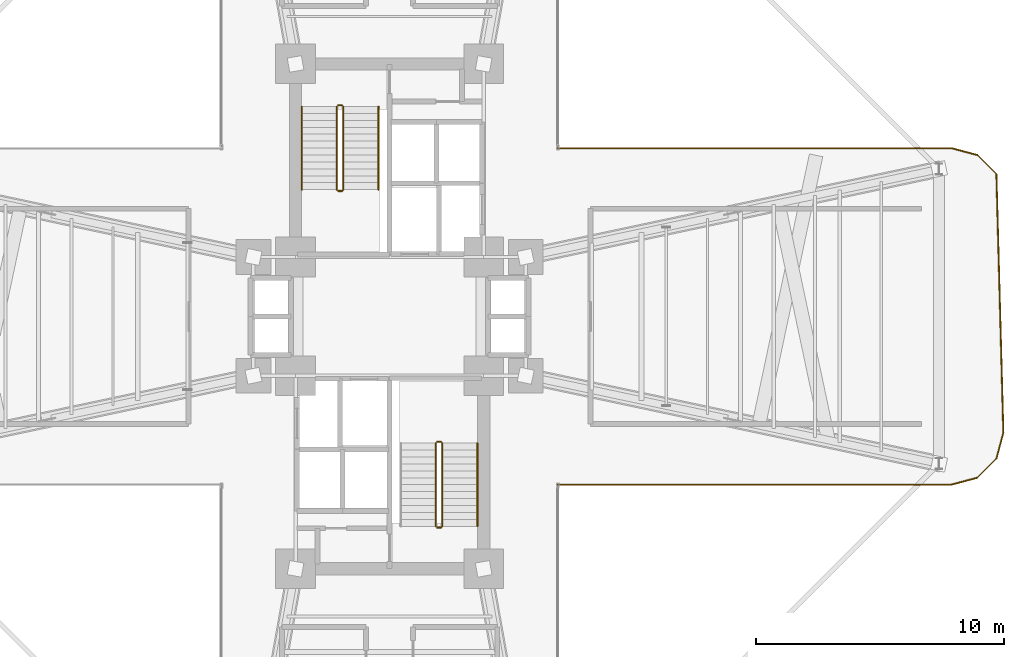
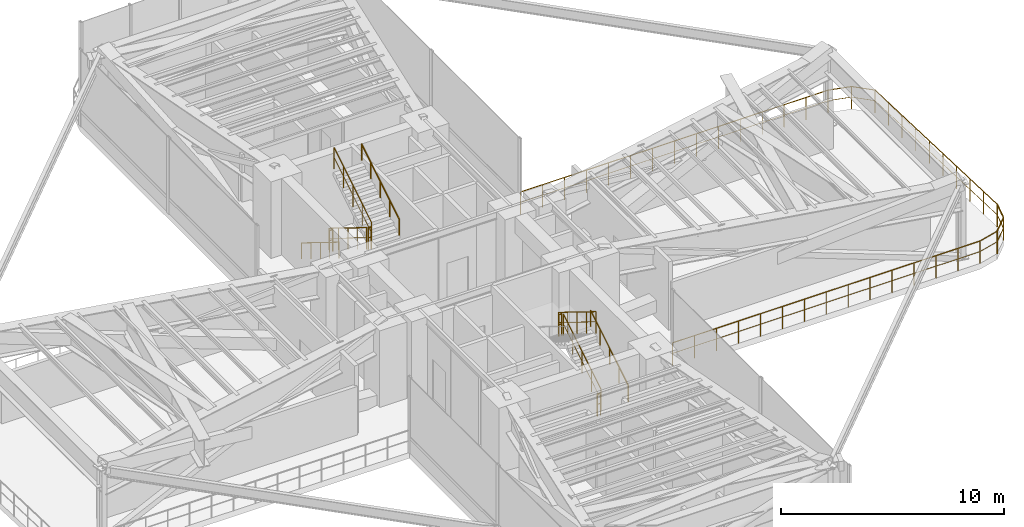
# One storey, part 17 of 18: 19 railings.
"""IFC4 building model written with IfcOpenShell, lengths in metres."""

from ifc_helpers import new_model, si_unit, direction, frame, origin, origin_2d, place, context, subcontext, project, spatial, circle, extrude, material, type_object, element, save


model = new_model("IFC4")

# Units and contexts
model_context = context("Model", 3, precision=1e-05, world=origin(), true_north=direction((0.0, 1.0)))
body_context = subcontext(model_context, "Body", "Model", "MODEL_VIEW")
ifc_project = project(units=[si_unit("LENGTHUNIT", "METRE"), si_unit("AREAUNIT", "SQUARE_METRE"), si_unit("VOLUMEUNIT", "CUBIC_METRE"), si_unit("PLANEANGLEUNIT", "RADIAN"), si_unit("MASSUNIT", "GRAM", prefix="KILO")], contexts=[model_context])

# Site, building, storey
site_placement = place(None, origin())
site = spatial("IfcSite", under=ifc_project, at=site_placement, CompositionType="ELEMENT")
building_placement = place(site_placement, origin())
building = spatial("IfcBuilding", under=site, at=building_placement, Name="Sahyath Konkavel Grand Hotel", CompositionType="ELEMENT")
storey_placement = place(building_placement, frame((0.0, 0.0, 74.5)))
storey = spatial("IfcBuildingStorey", under=building, at=storey_placement, Name="L20", CompositionType="ELEMENT", Elevation=74.5)

# Railings
ifc_material_1 = material(Name="Steel E350", Category="steel")
railing_type_1 = type_object("IfcRailingType", Name="RLG-STAIR-GRD", PredefinedType="GUARDRAIL", material=ifc_material_1)
railing_1_placement = place(storey_placement, frame((-2.1298828125, 8.47998046875, 0.173095703125)))
element("IfcRailing", 1, at=railing_1_placement, inside=storey, type_object=railing_type_1, Name="L20 ST-1 stair guard 1", PredefinedType="GUARDRAIL", context=body_context, shape_type="SweptSolid", body=[
    extrude(circle(Radius=0.02392578125, at=origin_2d()), frame((0.0, -0.001708984375, 1.177001953125), z_axis=(0.0, -0.850606129759, 0.525803396734), x_axis=(1.0, 0.0, 0.0)), (0.0, 0.0, 1.0), 3.946044921875),
    extrude(circle(Radius=0.01416015625, at=origin_2d()), frame((0.0, -0.001708984375, 0.625), z_axis=(0.0, -0.850606129759, 0.525803396734), x_axis=(1.0, 0.0, 0.0)), (0.0, 0.0, 1.0), 3.946044921875),
    extrude(circle(Radius=0.02099609375, at=origin_2d()), origin(), (0.0, 0.0, 1.0), 1.15185546875),
    extrude(circle(Radius=0.02099609375, at=origin_2d()), frame((0.0, -0.83984375, 0.519287109375)), (0.0, 0.0, 1.0), 1.15185546875),
    extrude(circle(Radius=0.02099609375, at=origin_2d()), frame((0.0, -1.679931640625, 1.03857421875)), (0.0, 0.0, 1.0), 1.15185546875),
    extrude(circle(Radius=0.02099609375, at=origin_2d()), frame((0.0, -2.52001953125, 1.5576171875)), (0.0, 0.0, 1.0), 1.15185546875),
    extrude(circle(Radius=0.02099609375, at=origin_2d()), frame((0.0, -3.35986328125, 2.076904296875)), (0.0, 0.0, 1.0), 1.15185546875),
])
railing_2_placement = place(storey_placement, frame((-2.080078125, 5.070068359375, 2.25)))
element("IfcRailing", 2, at=railing_2_placement, inside=storey, type_object=railing_type_1, Name="L20 ST-1 stair guard 2", PredefinedType="GUARDRAIL", context=body_context, shape_type="SweptSolid", body=[
    extrude(circle(Radius=0.02392578125, at=origin_2d()), frame((0.001953125, 0.0, 1.17578125), z_axis=(1.0, 0.0, 0.0), x_axis=(0.0, 1.0, 0.0)), (0.0, 0.0, 1.0), 0.15625),
    extrude(circle(Radius=0.01416015625, at=origin_2d()), frame((0.001953125, 0.0, 0.6240234375), z_axis=(1.0, 0.0, 0.0), x_axis=(0.0, 1.0, 0.0)), (0.0, 0.0, 1.0), 0.15625),
    extrude(circle(Radius=0.02099609375, at=origin_2d()), origin(), (0.0, 0.0, 1.0), 1.15185546875),
    extrude(circle(Radius=0.02099609375, at=origin_2d()), frame((0.16015625, 0.0, 0.0)), (0.0, 0.0, 1.0), 1.15185546875),
])
railing_3_placement = place(storey_placement, frame((-1.8701171875, 5.1201171875, 2.423095703125)))
element("IfcRailing", 3, at=railing_3_placement, inside=storey, type_object=railing_type_1, Name="L20 ST-1 stair guard 3", PredefinedType="GUARDRAIL", context=body_context, shape_type="SweptSolid", body=[
    extrude(circle(Radius=0.02392578125, at=origin_2d()), frame((0.0, 0.001708984375, 1.177001953125), z_axis=(0.0, 0.850606129759, 0.525803396734), x_axis=(-1.0, 0.0, 0.0)), (0.0, 0.0, 1.0), 3.946044921875),
    extrude(circle(Radius=0.01416015625, at=origin_2d()), frame((0.0, 0.001708984375, 0.625), z_axis=(0.0, 0.850606129759, 0.525803396734), x_axis=(-1.0, 0.0, 0.0)), (0.0, 0.0, 1.0), 3.946044921875),
    extrude(circle(Radius=0.02099609375, at=origin_2d()), origin(), (0.0, 0.0, 1.0), 1.15185546875),
    extrude(circle(Radius=0.02099609375, at=origin_2d()), frame((0.0, 0.83984375, 0.519287109375)), (0.0, 0.0, 1.0), 1.15185546875),
    extrude(circle(Radius=0.02099609375, at=origin_2d()), frame((0.0, 1.679931640625, 1.03857421875)), (0.0, 0.0, 1.0), 1.15185546875),
    extrude(circle(Radius=0.02099609375, at=origin_2d()), frame((0.0, 2.52001953125, 1.5576171875)), (0.0, 0.0, 1.0), 1.15185546875),
    extrude(circle(Radius=0.02099609375, at=origin_2d()), frame((0.0, 3.35986328125, 2.076904296875)), (0.0, 0.0, 1.0), 1.15185546875),
])
railing_4_placement = place(storey_placement, frame((-2.080078125, 8.530029296875, 0.0)))
element("IfcRailing", 4, at=railing_4_placement, inside=storey, type_object=railing_type_1, Name="L20 ST-1 stair guard 4", PredefinedType="GUARDRAIL", context=body_context, shape_type="SweptSolid", body=[
    extrude(circle(Radius=0.02392578125, at=origin_2d()), frame((0.001953125, 0.0, 1.17578125), z_axis=(1.0, 0.0, 0.0), x_axis=(0.0, 1.0, 0.0)), (0.0, 0.0, 1.0), 0.15625),
    extrude(circle(Radius=0.01416015625, at=origin_2d()), frame((0.001953125, 0.0, 0.6240234375), z_axis=(1.0, 0.0, 0.0), x_axis=(0.0, 1.0, 0.0)), (0.0, 0.0, 1.0), 0.15625),
    extrude(circle(Radius=0.02099609375, at=origin_2d()), origin(), (0.0, 0.0, 1.0), 1.15185546875),
    extrude(circle(Radius=0.02099609375, at=origin_2d()), frame((0.16015625, 0.0, 0.0)), (0.0, 0.0, 1.0), 1.15185546875),
])
railing_5_placement = place(storey_placement, frame((2.1298828125, -8.47998046875, 0.173095703125)))
element("IfcRailing", 5, at=railing_5_placement, inside=storey, type_object=railing_type_1, Name="L20 ST-2 stair guard 1", PredefinedType="GUARDRAIL", context=body_context, shape_type="SweptSolid", body=[
    extrude(circle(Radius=0.02392578125, at=origin_2d()), frame((0.0, 0.001708984375, 1.177001953125), z_axis=(0.0, 0.850606129759, 0.525803396734), x_axis=(-1.0, 0.0, 0.0)), (0.0, 0.0, 1.0), 3.946044921875),
    extrude(circle(Radius=0.01416015625, at=origin_2d()), frame((0.0, 0.001708984375, 0.625), z_axis=(0.0, 0.850606129759, 0.525803396734), x_axis=(-1.0, 0.0, 0.0)), (0.0, 0.0, 1.0), 3.946044921875),
    extrude(circle(Radius=0.02099609375, at=origin_2d()), origin(), (0.0, 0.0, 1.0), 1.15185546875),
    extrude(circle(Radius=0.02099609375, at=origin_2d()), frame((0.0, 0.83984375, 0.519287109375)), (0.0, 0.0, 1.0), 1.15185546875),
    extrude(circle(Radius=0.02099609375, at=origin_2d()), frame((0.0, 1.679931640625, 1.03857421875)), (0.0, 0.0, 1.0), 1.15185546875),
    extrude(circle(Radius=0.02099609375, at=origin_2d()), frame((0.0, 2.52001953125, 1.5576171875)), (0.0, 0.0, 1.0), 1.15185546875),
    extrude(circle(Radius=0.02099609375, at=origin_2d()), frame((0.0, 3.35986328125, 2.076904296875)), (0.0, 0.0, 1.0), 1.15185546875),
])
railing_6_placement = place(storey_placement, frame((2.080078125, -5.070068359375, 2.25)))
element("IfcRailing", 6, at=railing_6_placement, inside=storey, type_object=railing_type_1, Name="L20 ST-2 stair guard 2", PredefinedType="GUARDRAIL", context=body_context, shape_type="SweptSolid", body=[
    extrude(circle(Radius=0.02392578125, at=origin_2d()), frame((-0.001953125, 0.0, 1.17578125), z_axis=(-1.0, 0.0, 0.0), x_axis=(0.0, -1.0, 0.0)), (0.0, 0.0, 1.0), 0.15625),
    extrude(circle(Radius=0.01416015625, at=origin_2d()), frame((-0.001953125, 0.0, 0.6240234375), z_axis=(-1.0, 0.0, 0.0), x_axis=(0.0, -1.0, 0.0)), (0.0, 0.0, 1.0), 0.15625),
    extrude(circle(Radius=0.02099609375, at=origin_2d()), origin(), (0.0, 0.0, 1.0), 1.15185546875),
    extrude(circle(Radius=0.02099609375, at=origin_2d()), frame((-0.16015625, 0.0, 0.0)), (0.0, 0.0, 1.0), 1.15185546875),
])
railing_7_placement = place(storey_placement, frame((1.8701171875, -5.1201171875, 2.423095703125)))
element("IfcRailing", 7, at=railing_7_placement, inside=storey, type_object=railing_type_1, Name="L20 ST-2 stair guard 3", PredefinedType="GUARDRAIL", context=body_context, shape_type="SweptSolid", body=[
    extrude(circle(Radius=0.02392578125, at=origin_2d()), frame((0.0, -0.001708984375, 1.177001953125), z_axis=(0.0, -0.850606129759, 0.525803396734), x_axis=(1.0, 0.0, 0.0)), (0.0, 0.0, 1.0), 3.946044921875),
    extrude(circle(Radius=0.01416015625, at=origin_2d()), frame((0.0, -0.001708984375, 0.625), z_axis=(0.0, -0.850606129759, 0.525803396734), x_axis=(1.0, 0.0, 0.0)), (0.0, 0.0, 1.0), 3.946044921875),
    extrude(circle(Radius=0.02099609375, at=origin_2d()), origin(), (0.0, 0.0, 1.0), 1.15185546875),
    extrude(circle(Radius=0.02099609375, at=origin_2d()), frame((0.0, -0.83984375, 0.519287109375)), (0.0, 0.0, 1.0), 1.15185546875),
    extrude(circle(Radius=0.02099609375, at=origin_2d()), frame((0.0, -1.679931640625, 1.03857421875)), (0.0, 0.0, 1.0), 1.15185546875),
    extrude(circle(Radius=0.02099609375, at=origin_2d()), frame((0.0, -2.52001953125, 1.5576171875)), (0.0, 0.0, 1.0), 1.15185546875),
    extrude(circle(Radius=0.02099609375, at=origin_2d()), frame((0.0, -3.35986328125, 2.076904296875)), (0.0, 0.0, 1.0), 1.15185546875),
])
railing_8_placement = place(storey_placement, frame((2.080078125, -8.530029296875, 0.0)))
element("IfcRailing", 8, at=railing_8_placement, inside=storey, type_object=railing_type_1, Name="L20 ST-2 stair guard 4", PredefinedType="GUARDRAIL", context=body_context, shape_type="SweptSolid", body=[
    extrude(circle(Radius=0.02392578125, at=origin_2d()), frame((-0.001953125, 0.0, 1.17578125), z_axis=(-1.0, 0.0, 0.0), x_axis=(0.0, -1.0, 0.0)), (0.0, 0.0, 1.0), 0.15625),
    extrude(circle(Radius=0.01416015625, at=origin_2d()), frame((-0.001953125, 0.0, 0.6240234375), z_axis=(-1.0, 0.0, 0.0), x_axis=(0.0, -1.0, 0.0)), (0.0, 0.0, 1.0), 0.15625),
    extrude(circle(Radius=0.02099609375, at=origin_2d()), origin(), (0.0, 0.0, 1.0), 1.15185546875),
    extrude(circle(Radius=0.02099609375, at=origin_2d()), frame((-0.16015625, 0.0, 0.0)), (0.0, 0.0, 1.0), 1.15185546875),
])
ifc_material_2 = material(Name="Anodised Bronze Aluminium", Category="aluminium")
railing_type_2 = type_object("IfcRailingType", Name="RLG-STAIR-HND", PredefinedType="HANDRAIL", material=ifc_material_2)
railing_9_placement = place(storey_placement, frame((-3.550048828125, 8.47998046875, 0.173095703125)))
element("IfcRailing", 9, at=railing_9_placement, inside=storey, type_object=railing_type_2, Name="L20 ST-1 stair handrail 1", PredefinedType="HANDRAIL", context=body_context, shape_type="SweptSolid", body=[
    extrude(circle(Radius=0.02392578125, at=origin_2d()), frame((0.0, -0.001708984375, 0.876953125), z_axis=(0.0, -0.850606129759, 0.525803396734), x_axis=(1.0, 0.0, 0.0)), (0.0, 0.0, 1.0), 3.946044921875),
    extrude(circle(Radius=0.02099609375, at=origin_2d()), origin(), (0.0, 0.0, 1.0), 0.851806640625),
    extrude(circle(Radius=0.02099609375, at=origin_2d()), frame((0.0, -0.83984375, 0.519287109375)), (0.0, 0.0, 1.0), 0.851806640625),
    extrude(circle(Radius=0.02099609375, at=origin_2d()), frame((0.0, -1.679931640625, 1.03857421875)), (0.0, 0.0, 1.0), 0.851806640625),
    extrude(circle(Radius=0.02099609375, at=origin_2d()), frame((0.0, -2.52001953125, 1.5576171875)), (0.0, 0.0, 1.0), 0.851806640625),
    extrude(circle(Radius=0.02099609375, at=origin_2d()), frame((0.0, -3.35986328125, 2.076904296875)), (0.0, 0.0, 1.0), 0.851806640625),
])
for number, where, name in (
    (10, (-0.449951171875, 5.1201171875, 2.423095703125), "L20 ST-1 stair handrail 2"),
    (11, (3.550048828125, -8.47998046875, 0.173095703125), "L20 ST-2 stair handrail 1"),
):
    element("IfcRailing", number, at=place(storey_placement, frame(where)), inside=storey, type_object=railing_type_2, Name=name, PredefinedType="HANDRAIL", context=body_context, shape_type="SweptSolid", body=[
        extrude(circle(Radius=0.02392578125, at=origin_2d()), frame((0.0, 0.001708984375, 0.876953125), z_axis=(0.0, 0.850606129759, 0.525803396734), x_axis=(-1.0, 0.0, 0.0)), (0.0, 0.0, 1.0), 3.946044921875),
        extrude(circle(Radius=0.02099609375, at=origin_2d()), origin(), (0.0, 0.0, 1.0), 0.851806640625),
        extrude(circle(Radius=0.02099609375, at=origin_2d()), frame((0.0, 0.83984375, 0.519287109375)), (0.0, 0.0, 1.0), 0.851806640625),
        extrude(circle(Radius=0.02099609375, at=origin_2d()), frame((0.0, 1.679931640625, 1.03857421875)), (0.0, 0.0, 1.0), 0.851806640625),
        extrude(circle(Radius=0.02099609375, at=origin_2d()), frame((0.0, 2.52001953125, 1.5576171875)), (0.0, 0.0, 1.0), 0.851806640625),
        extrude(circle(Radius=0.02099609375, at=origin_2d()), frame((0.0, 3.35986328125, 2.076904296875)), (0.0, 0.0, 1.0), 0.851806640625),
    ])
ifc_material_3 = material(Name="Warm Buff Sandstone & Bronze Balustrade", Category="masonry")
railing_type_3 = type_object("IfcRailingType", Name="RLG-TERR-1250", PredefinedType="BALUSTRADE", material=ifc_material_3)
railing_10_placement = place(storey_placement, frame((6.800048828125, -6.800048828125, 0.0)))
element("IfcRailing", 12, at=railing_10_placement, inside=storey, type_object=railing_type_3, Name="L20 Fire Refuge Perimeter Guard 0", PredefinedType="BALUSTRADE", context=body_context, shape_type="SweptSolid", body=[
    extrude(circle(Radius=0.02392578125, at=origin_2d()), frame((0.001953125, 0.0, 1.22607421875), z_axis=(1.0, 0.0, 0.0), x_axis=(0.0, 1.0, 0.0)), (0.0, 0.0, 1.0), 15.89599609375),
    extrude(circle(Radius=0.01416015625, at=origin_2d()), frame((0.001953125, 0.0, 0.64990234375), z_axis=(1.0, 0.0, 0.0), x_axis=(0.0, 1.0, 0.0)), (0.0, 0.0, 1.0), 15.89599609375),
    extrude(circle(Radius=0.02099609375, at=origin_2d()), origin(), (0.0, 0.0, 1.0), 1.201904296875),
    extrude(circle(Radius=0.02099609375, at=origin_2d()), frame((1.1357421875, 0.0, 0.0)), (0.0, 0.0, 1.0), 1.201904296875),
    extrude(circle(Radius=0.02099609375, at=origin_2d()), frame((2.271484375, 0.0, 0.0)), (0.0, 0.0, 1.0), 1.201904296875),
    extrude(circle(Radius=0.02099609375, at=origin_2d()), frame((3.4072265625, 0.0, 0.0)), (0.0, 0.0, 1.0), 1.201904296875),
    extrude(circle(Radius=0.02099609375, at=origin_2d()), frame((4.542724609375, 0.0, 0.0)), (0.0, 0.0, 1.0), 1.201904296875),
    extrude(circle(Radius=0.02099609375, at=origin_2d()), frame((5.678466796875, 0.0, 0.0)), (0.0, 0.0, 1.0), 1.201904296875),
    extrude(circle(Radius=0.02099609375, at=origin_2d()), frame((6.814208984375, 0.0, 0.0)), (0.0, 0.0, 1.0), 1.201904296875),
    extrude(circle(Radius=0.02099609375, at=origin_2d()), frame((7.949951171875, 0.0, 0.0)), (0.0, 0.0, 1.0), 1.201904296875),
    extrude(circle(Radius=0.02099609375, at=origin_2d()), frame((9.085693359375, 0.0, 0.0)), (0.0, 0.0, 1.0), 1.201904296875),
    extrude(circle(Radius=0.02099609375, at=origin_2d()), frame((10.221435546875, 0.0, 0.0)), (0.0, 0.0, 1.0), 1.201904296875),
    extrude(circle(Radius=0.02099609375, at=origin_2d()), frame((11.357177734375, 0.0, 0.0)), (0.0, 0.0, 1.0), 1.201904296875),
    extrude(circle(Radius=0.02099609375, at=origin_2d()), frame((12.49267578125, 0.0, 0.0)), (0.0, 0.0, 1.0), 1.201904296875),
    extrude(circle(Radius=0.02099609375, at=origin_2d()), frame((13.62841796875, 0.0, 0.0)), (0.0, 0.0, 1.0), 1.201904296875),
    extrude(circle(Radius=0.02099609375, at=origin_2d()), frame((14.76416015625, 0.0, 0.0)), (0.0, 0.0, 1.0), 1.201904296875),
    extrude(circle(Radius=0.02099609375, at=origin_2d()), frame((15.89990234375, 0.0, 0.0)), (0.0, 0.0, 1.0), 1.201904296875),
])
railing_11_placement = place(storey_placement, frame((22.699951171875, -6.800048828125, 0.0)))
element("IfcRailing", 13, at=railing_11_placement, inside=storey, type_object=railing_type_3, Name="L20 Fire Refuge Perimeter Guard 1", PredefinedType="BALUSTRADE", context=body_context, shape_type="SweptSolid", body=[
    extrude(circle(Radius=0.02392578125, at=origin_2d()), frame((0.001953125, 0.00048828125, 1.22607421875), z_axis=(0.965951058412, 0.25872485917, 0.0), x_axis=(-0.25872485917, 0.965951058412, 0.0)), (0.0, 0.0, 1.0), 1.0830078125),
    extrude(circle(Radius=0.01416015625, at=origin_2d()), frame((0.001953125, 0.00048828125, 0.64990234375), z_axis=(0.965951058412, 0.25872485917, 0.0), x_axis=(-0.25872485917, 0.965951058412, 0.0)), (0.0, 0.0, 1.0), 1.0830078125),
    extrude(circle(Radius=0.02099609375, at=origin_2d()), origin(), (0.0, 0.0, 1.0), 1.201904296875),
    extrude(circle(Radius=0.02099609375, at=origin_2d()), frame((1.050048828125, 0.28125, 0.0)), (0.0, 0.0, 1.0), 1.201904296875),
])
railing_12_placement = place(storey_placement, frame((23.75, -6.518798828125, 0.0)))
element("IfcRailing", 14, at=railing_12_placement, inside=storey, type_object=railing_type_3, Name="L20 Fire Refuge Perimeter Guard 2", PredefinedType="BALUSTRADE", context=body_context, shape_type="SweptSolid", body=[
    extrude(circle(Radius=0.02392578125, at=origin_2d()), frame((0.00146484375, 0.00146484375, 1.22607421875), z_axis=(0.707106781187, 0.707106781187, 0.0), x_axis=(-0.707106781187, 0.707106781187, 0.0)), (0.0, 0.0, 1.0), 1.083251953125),
    extrude(circle(Radius=0.01416015625, at=origin_2d()), frame((0.00146484375, 0.00146484375, 0.64990234375), z_axis=(0.707106781187, 0.707106781187, 0.0), x_axis=(-0.707106781187, 0.707106781187, 0.0)), (0.0, 0.0, 1.0), 1.083251953125),
    extrude(circle(Radius=0.02099609375, at=origin_2d()), origin(), (0.0, 0.0, 1.0), 1.201904296875),
    extrude(circle(Radius=0.02099609375, at=origin_2d()), frame((0.768798828125, 0.768798828125, 0.0)), (0.0, 0.0, 1.0), 1.201904296875),
])
railing_13_placement = place(storey_placement, frame((24.518798828125, -5.75, 0.0)))
element("IfcRailing", 15, at=railing_13_placement, inside=storey, type_object=railing_type_3, Name="L20 Fire Refuge Perimeter Guard 3", PredefinedType="BALUSTRADE", context=body_context, shape_type="SweptSolid", body=[
    extrude(circle(Radius=0.02392578125, at=origin_2d()), frame((0.00048828125, 0.001953125, 1.22607421875), z_axis=(0.25872485917, 0.965951058412, 0.0), x_axis=(-0.965951058412, 0.25872485917, 0.0)), (0.0, 0.0, 1.0), 1.0830078125),
    extrude(circle(Radius=0.01416015625, at=origin_2d()), frame((0.00048828125, 0.001953125, 0.64990234375), z_axis=(0.25872485917, 0.965951058412, 0.0), x_axis=(-0.965951058412, 0.25872485917, 0.0)), (0.0, 0.0, 1.0), 1.0830078125),
    extrude(circle(Radius=0.02099609375, at=origin_2d()), origin(), (0.0, 0.0, 1.0), 1.201904296875),
    extrude(circle(Radius=0.02099609375, at=origin_2d()), frame((0.28125, 1.050048828125, 0.0)), (0.0, 0.0, 1.0), 1.201904296875),
])
railing_14_placement = place(storey_placement, frame((24.800048828125, -4.699951171875, 0.0)))
element("IfcRailing", 16, at=railing_14_placement, inside=storey, type_object=railing_type_3, Name="L20 Fire Refuge Perimeter Guard 4", PredefinedType="BALUSTRADE", context=body_context, shape_type="SweptSolid", body=[
    extrude(circle(Radius=0.02392578125, at=origin_2d()), frame((0.0, 0.001953125, 1.22607421875), z_axis=(-0.026904258888, 0.99963801491, 0.0), x_axis=(-0.99963801491, -0.026904258888, 0.0)), (0.0, 0.0, 1.0), 10.44970703125),
    extrude(circle(Radius=0.01416015625, at=origin_2d()), frame((0.0, 0.001953125, 0.64990234375), z_axis=(-0.026904258888, 0.99963801491, 0.0), x_axis=(-0.99963801491, -0.026904258888, 0.0)), (0.0, 0.0, 1.0), 10.44970703125),
    extrude(circle(Radius=0.02099609375, at=origin_2d()), origin(), (0.0, 0.0, 1.0), 1.201904296875),
    extrude(circle(Radius=0.02099609375, at=origin_2d()), frame((-0.03125, 1.1611328125, 0.0)), (0.0, 0.0, 1.0), 1.201904296875),
    extrude(circle(Radius=0.02099609375, at=origin_2d()), frame((-0.0625, 2.322265625, 0.0)), (0.0, 0.0, 1.0), 1.201904296875),
    extrude(circle(Radius=0.02099609375, at=origin_2d()), frame((-0.09375, 3.4833984375, 0.0)), (0.0, 0.0, 1.0), 1.201904296875),
    extrude(circle(Radius=0.02099609375, at=origin_2d()), frame((-0.125, 4.64453125, 0.0)), (0.0, 0.0, 1.0), 1.201904296875),
    extrude(circle(Radius=0.02099609375, at=origin_2d()), frame((-0.15625, 5.805419921875, 0.0)), (0.0, 0.0, 1.0), 1.201904296875),
    extrude(circle(Radius=0.02099609375, at=origin_2d()), frame((-0.1875, 6.966552734375, 0.0)), (0.0, 0.0, 1.0), 1.201904296875),
    extrude(circle(Radius=0.02099609375, at=origin_2d()), frame((-0.21875, 8.127685546875, 0.0)), (0.0, 0.0, 1.0), 1.201904296875),
    extrude(circle(Radius=0.02099609375, at=origin_2d()), frame((-0.25, 9.288818359375, 0.0)), (0.0, 0.0, 1.0), 1.201904296875),
    extrude(circle(Radius=0.02099609375, at=origin_2d()), frame((-0.28125, 10.449951171875, 0.0)), (0.0, 0.0, 1.0), 1.201904296875),
])
railing_15_placement = place(storey_placement, frame((24.518798828125, 5.75, 0.0)))
element("IfcRailing", 17, at=railing_15_placement, inside=storey, type_object=railing_type_3, Name="L20 Fire Refuge Perimeter Guard 5", PredefinedType="BALUSTRADE", context=body_context, shape_type="SweptSolid", body=[
    extrude(circle(Radius=0.02392578125, at=origin_2d()), frame((-0.00146484375, 0.00146484375, 1.22607421875), z_axis=(-0.707106781187, 0.707106781187, 0.0), x_axis=(-0.707106781187, -0.707106781187, 0.0)), (0.0, 0.0, 1.0), 1.083251953125),
    extrude(circle(Radius=0.01416015625, at=origin_2d()), frame((-0.00146484375, 0.00146484375, 0.64990234375), z_axis=(-0.707106781187, 0.707106781187, 0.0), x_axis=(-0.707106781187, -0.707106781187, 0.0)), (0.0, 0.0, 1.0), 1.083251953125),
    extrude(circle(Radius=0.02099609375, at=origin_2d()), origin(), (0.0, 0.0, 1.0), 1.201904296875),
    extrude(circle(Radius=0.02099609375, at=origin_2d()), frame((-0.768798828125, 0.768798828125, 0.0)), (0.0, 0.0, 1.0), 1.201904296875),
])
railing_16_placement = place(storey_placement, frame((23.75, 6.518798828125, 0.0)))
element("IfcRailing", 18, at=railing_16_placement, inside=storey, type_object=railing_type_3, Name="L20 Fire Refuge Perimeter Guard 6", PredefinedType="BALUSTRADE", context=body_context, shape_type="SweptSolid", body=[
    extrude(circle(Radius=0.02392578125, at=origin_2d()), frame((-0.001953125, 0.00048828125, 1.22607421875), z_axis=(-0.965951058412, 0.25872485917, 0.0), x_axis=(-0.25872485917, -0.965951058412, 0.0)), (0.0, 0.0, 1.0), 1.0830078125),
    extrude(circle(Radius=0.01416015625, at=origin_2d()), frame((-0.001953125, 0.00048828125, 0.64990234375), z_axis=(-0.965951058412, 0.25872485917, 0.0), x_axis=(-0.25872485917, -0.965951058412, 0.0)), (0.0, 0.0, 1.0), 1.0830078125),
    extrude(circle(Radius=0.02099609375, at=origin_2d()), origin(), (0.0, 0.0, 1.0), 1.201904296875),
    extrude(circle(Radius=0.02099609375, at=origin_2d()), frame((-1.050048828125, 0.28125, 0.0)), (0.0, 0.0, 1.0), 1.201904296875),
])
railing_17_placement = place(storey_placement, frame((22.699951171875, 6.800048828125, 0.0)))
element("IfcRailing", 19, at=railing_17_placement, inside=storey, type_object=railing_type_3, Name="L20 Fire Refuge Perimeter Guard 7", PredefinedType="BALUSTRADE", context=body_context, shape_type="SweptSolid", body=[
    extrude(circle(Radius=0.02392578125, at=origin_2d()), frame((-0.001953125, 0.0, 1.22607421875), z_axis=(-1.0, 0.0, 0.0), x_axis=(0.0, -1.0, 0.0)), (0.0, 0.0, 1.0), 15.89599609375),
    extrude(circle(Radius=0.01416015625, at=origin_2d()), frame((-0.001953125, 0.0, 0.64990234375), z_axis=(-1.0, 0.0, 0.0), x_axis=(0.0, -1.0, 0.0)), (0.0, 0.0, 1.0), 15.89599609375),
    extrude(circle(Radius=0.02099609375, at=origin_2d()), origin(), (0.0, 0.0, 1.0), 1.201904296875),
    extrude(circle(Radius=0.02099609375, at=origin_2d()), frame((-1.1357421875, 0.0, 0.0)), (0.0, 0.0, 1.0), 1.201904296875),
    extrude(circle(Radius=0.02099609375, at=origin_2d()), frame((-2.271484375, 0.0, 0.0)), (0.0, 0.0, 1.0), 1.201904296875),
    extrude(circle(Radius=0.02099609375, at=origin_2d()), frame((-3.4072265625, 0.0, 0.0)), (0.0, 0.0, 1.0), 1.201904296875),
    extrude(circle(Radius=0.02099609375, at=origin_2d()), frame((-4.542724609375, 0.0, 0.0)), (0.0, 0.0, 1.0), 1.201904296875),
    extrude(circle(Radius=0.02099609375, at=origin_2d()), frame((-5.678466796875, 0.0, 0.0)), (0.0, 0.0, 1.0), 1.201904296875),
    extrude(circle(Radius=0.02099609375, at=origin_2d()), frame((-6.814208984375, 0.0, 0.0)), (0.0, 0.0, 1.0), 1.201904296875),
    extrude(circle(Radius=0.02099609375, at=origin_2d()), frame((-7.949951171875, 0.0, 0.0)), (0.0, 0.0, 1.0), 1.201904296875),
    extrude(circle(Radius=0.02099609375, at=origin_2d()), frame((-9.085693359375, 0.0, 0.0)), (0.0, 0.0, 1.0), 1.201904296875),
    extrude(circle(Radius=0.02099609375, at=origin_2d()), frame((-10.221435546875, 0.0, 0.0)), (0.0, 0.0, 1.0), 1.201904296875),
    extrude(circle(Radius=0.02099609375, at=origin_2d()), frame((-11.357177734375, 0.0, 0.0)), (0.0, 0.0, 1.0), 1.201904296875),
    extrude(circle(Radius=0.02099609375, at=origin_2d()), frame((-12.49267578125, 0.0, 0.0)), (0.0, 0.0, 1.0), 1.201904296875),
    extrude(circle(Radius=0.02099609375, at=origin_2d()), frame((-13.62841796875, 0.0, 0.0)), (0.0, 0.0, 1.0), 1.201904296875),
    extrude(circle(Radius=0.02099609375, at=origin_2d()), frame((-14.76416015625, 0.0, 0.0)), (0.0, 0.0, 1.0), 1.201904296875),
    extrude(circle(Radius=0.02099609375, at=origin_2d()), frame((-15.89990234375, 0.0, 0.0)), (0.0, 0.0, 1.0), 1.201904296875),
])

save(model, "model.ifc")
